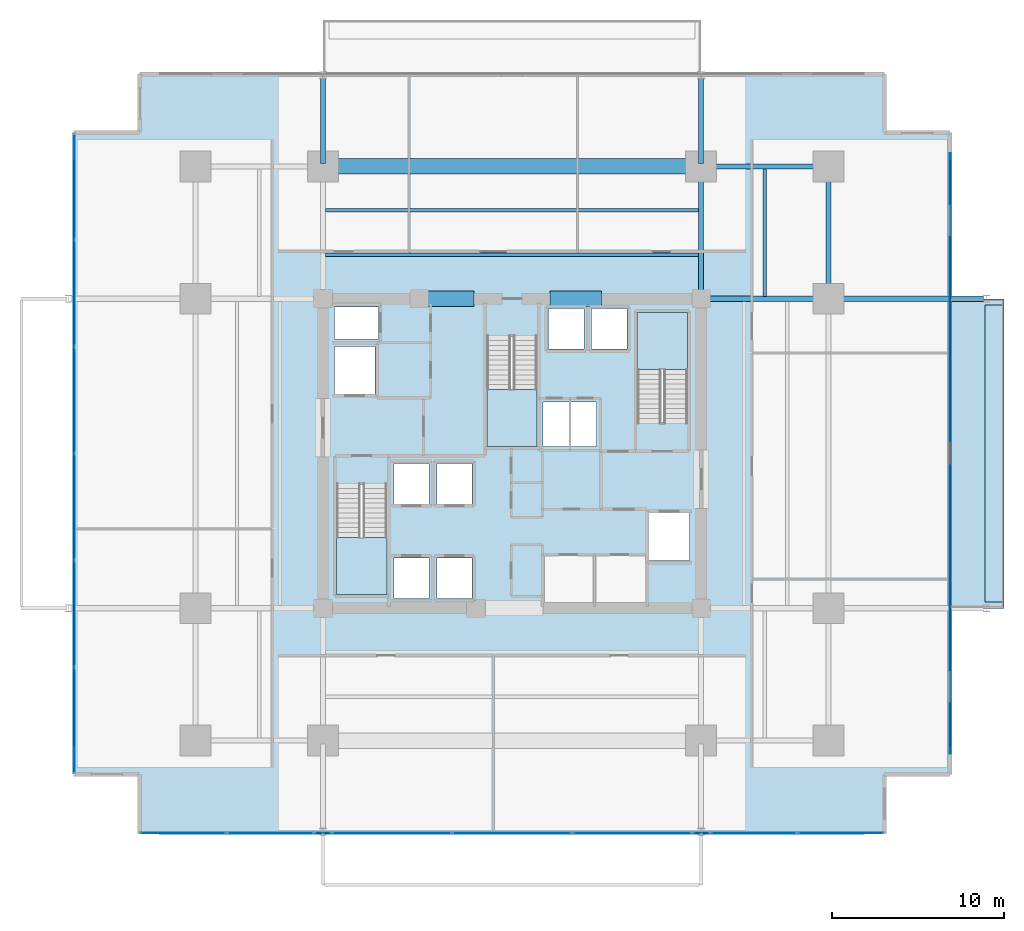
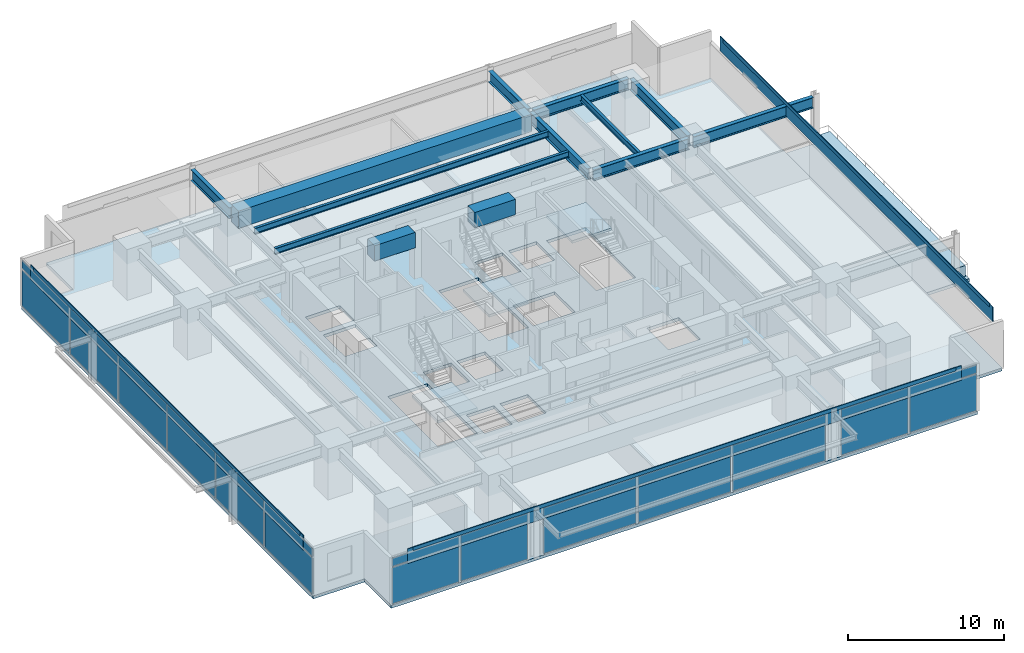
# One storey, part 13 of 21: 32 plates, 13 beams, 6 slabs, 7 elements without a shape of their own.
"""IFC4 building model written with IfcOpenShell, lengths in metres."""

from ifc_helpers import new_model, si_unit, direction, frame, origin, origin_2d, place, context, subcontext, project, spatial, polyline, rectangle, i_section, outline, extrude, material, layer, layer_set, material_profile, profile_set, type_object, element, aggregate, save


model = new_model("IFC4")

# Units and contexts
model_context = context("Model", 3, precision=1e-05, world=origin(), true_north=direction((0.0, 1.0)))
body_context = subcontext(model_context, "Body", "Model", "MODEL_VIEW")
ifc_project = project(units=[si_unit("LENGTHUNIT", "METRE"), si_unit("AREAUNIT", "SQUARE_METRE"), si_unit("VOLUMEUNIT", "CUBIC_METRE"), si_unit("PLANEANGLEUNIT", "RADIAN"), si_unit("MASSUNIT", "GRAM", prefix="KILO")], contexts=[model_context])

# Site, building, storey
site_placement = place(None, origin())
site = spatial("IfcSite", under=ifc_project, at=site_placement, CompositionType="ELEMENT")
building_placement = place(site_placement, origin())
building = spatial("IfcBuilding", under=site, at=building_placement, Name="Kovane Verandah Tower", CompositionType="ELEMENT")
storey_placement = place(building_placement, frame((0.0, 0.0, 47.60009765625)))
storey = spatial("IfcBuildingStorey", under=building, at=storey_placement, Name="L10", CompositionType="ELEMENT", Elevation=47.60009765625)

# Beams
ifc_material_1 = material(Name="Concrete C80/95", Category="concrete")
ifc_material_profile_1 = material_profile(ifc_material_1, rectangle(XDim=0.89990234375, YDim=1.199951171875, at=origin_2d()), Name="RCB900x1200")
ifc_profile_set_1 = profile_set([ifc_material_profile_1], Name="Concrete C80/95")
beam_type_1 = type_object("IfcBeamType", Name="BM-LINTEL-900x1200", PredefinedType="LINTEL", material=ifc_profile_set_1)
for number, where, z_axis, x_axis, name in (
    (1, (34.800048828125, 36.5, 3.159912109375), (1.0, 0.0, 0.0), (0.0, 1.0, 0.0), "L10 Core Coupling Lintel CL-N1"),
    (2, (42.199951171875, 36.5, 3.159912109375), (1.0, 0.0, 0.0), (0.0, 1.0, 0.0), "L10 Core Coupling Lintel CL-N2"),
):
    element("IfcBeam", number, at=place(storey_placement, frame(where, z_axis=z_axis, x_axis=x_axis)), inside=storey, type_object=beam_type_1, Name=name, PredefinedType="LINTEL", context=body_context, shape_type="SweptSolid", body=[
        extrude(rectangle(XDim=0.89990234375, YDim=1.199951171875, at=origin_2d()), origin(), (0.0, 0.0, 1.0), 3.0),
    ])
ifc_material_profile_2 = material_profile(ifc_material_1, rectangle(XDim=0.89990234375, YDim=1.35009765625, at=origin_2d()), Name="RCB900x1350")
ifc_profile_set_2 = profile_set([ifc_material_profile_2], Name="Concrete C80/95")
beam_type_2 = type_object("IfcBeamType", Name="BM-TR-900x1350", PredefinedType="BEAM", material=ifc_profile_set_2)
beam_1_placement = place(storey_placement, frame((29.179931640625, 44.199951171875, 3.0849609375), z_axis=(1.0, 0.0, 0.0), x_axis=(0.0, 1.0, 0.0)))
element("IfcBeam", 3, at=beam_1_placement, inside=storey, type_object=beam_type_2, Name="L10 Primary Tower Girder G-RN2", PredefinedType="BEAM", context=body_context, shape_type="SweptSolid", body=[
    extrude(rectangle(XDim=0.89990234375, YDim=1.35009765625, at=origin_2d()), origin(), (0.0, 0.0, 1.0), 21.64013671875),
])
ifc_material_2 = material(Name="Steel S355", Category="steel")
ifc_material_profile_3 = material_profile(ifc_material_2, i_section(OverallWidth=0.293701171875, OverallDepth=0.850830078125, WebThickness=0.01611328125, FlangeThickness=0.02685546875, FilletRadius=0.017822265625, at=origin_2d()), Name="UB838x292x226")
ifc_profile_set_3 = profile_set([ifc_material_profile_3], Name="Steel S355")
beam_type_3 = type_object("IfcBeamType", Name="BM-UB838x226", PredefinedType="BEAM", material=ifc_profile_set_3)
beam_2_placement = place(storey_placement, frame((51.179931640625, 44.199951171875, 3.33447265625), z_axis=(1.0, 0.0, 0.0), x_axis=(0.0, 1.0, 0.0)))
element("IfcBeam", 4, at=beam_2_placement, inside=storey, type_object=beam_type_3, Name="L10 Primary Tower Girder G-RN3", PredefinedType="BEAM", context=body_context, shape_type="SweptSolid", body=[
    extrude(i_section(OverallWidth=0.293701171875, OverallDepth=0.850830078125, WebThickness=0.01611328125, FlangeThickness=0.02685546875, FilletRadius=0.017822265625, at=origin_2d()), origin(), (0.0, 0.0, 1.0), 7.0400390625),
])
beam_3_placement = place(storey_placement, frame((58.39990234375, 36.679931640625, 3.33447265625), z_axis=(0.0, 1.0, 0.0), x_axis=(-1.0, 0.0, 0.0)))
element("IfcBeam", 5, at=beam_3_placement, inside=storey, type_object=beam_type_3, Name="L10 Primary Tower Girder G-RE3", PredefinedType="BEAM", context=body_context, shape_type="SweptSolid", body=[
    extrude(i_section(OverallWidth=0.293701171875, OverallDepth=0.850830078125, WebThickness=0.01611328125, FlangeThickness=0.02685546875, FilletRadius=0.017822265625, at=origin_2d()), origin(), (0.0, 0.0, 1.0), 7.340087890625),
])
beam_4_placement = place(storey_placement, frame((51.179931640625, 36.5, 3.33447265625), z_axis=(1.0, 0.0, 0.0), x_axis=(0.0, 1.0, 0.0)))
element("IfcBeam", 6, at=beam_4_placement, inside=storey, type_object=beam_type_3, Name="L10 Primary Tower Girder G-E2", PredefinedType="BEAM", context=body_context, shape_type="SweptSolid", body=[
    extrude(i_section(OverallWidth=0.293701171875, OverallDepth=0.850830078125, WebThickness=0.01611328125, FlangeThickness=0.02685546875, FilletRadius=0.017822265625, at=origin_2d()), origin(), (0.0, 0.0, 1.0), 7.0400390625),
])
beam_5_placement = place(storey_placement, frame((51.0, 36.679931640625, 3.33447265625), z_axis=(0.0, 1.0, 0.0), x_axis=(-1.0, 0.0, 0.0)))
element("IfcBeam", 7, at=beam_5_placement, inside=storey, type_object=beam_type_3, Name="L10 Primary Tower Girder G-N2", PredefinedType="BEAM", context=body_context, shape_type="SweptSolid", body=[
    extrude(i_section(OverallWidth=0.293701171875, OverallDepth=0.850830078125, WebThickness=0.01611328125, FlangeThickness=0.02685546875, FilletRadius=0.017822265625, at=origin_2d()), origin(), (0.0, 0.0, 1.0), 7.340087890625),
])
beam_6_placement = place(storey_placement, frame((58.580078125, 36.5, 3.33447265625), z_axis=(1.0, 0.0, 0.0), x_axis=(0.0, 1.0, 0.0)))
element("IfcBeam", 8, at=beam_6_placement, inside=storey, type_object=beam_type_3, Name="L10 Primary Tower Girder G-VE2", PredefinedType="BEAM", context=body_context, shape_type="SweptSolid", body=[
    extrude(i_section(OverallWidth=0.293701171875, OverallDepth=0.850830078125, WebThickness=0.01611328125, FlangeThickness=0.02685546875, FilletRadius=0.017822265625, at=origin_2d()), origin(), (0.0, 0.0, 1.0), 8.83984375),
])
for number, where, z_axis, x_axis, name in (
    (9, (29.0, 44.3798828125, 3.33447265625), (0.0, 1.0, 0.0), (-1.0, 0.0, 0.0), "L10 Primary Tower Girder G-VN1"),
    (10, (51.0, 44.3798828125, 3.33447265625), (0.0, 1.0, 0.0), (-1.0, 0.0, 0.0), "L10 Primary Tower Girder G-VN2"),
):
    element("IfcBeam", number, at=place(storey_placement, frame(where, z_axis=z_axis, x_axis=x_axis)), inside=storey, type_object=beam_type_3, Name=name, PredefinedType="BEAM", context=body_context, shape_type="SweptSolid", body=[
        extrude(i_section(OverallWidth=0.293701171875, OverallDepth=0.850830078125, WebThickness=0.01611328125, FlangeThickness=0.02685546875, FilletRadius=0.017822265625, at=origin_2d()), origin(), (0.0, 0.0, 1.0), 4.940185546875),
    ])
ifc_material_profile_4 = material_profile(ifc_material_2, i_section(OverallWidth=0.19287109375, OverallDepth=0.46728515625, WebThickness=0.011474609375, FlangeThickness=0.01953125, FilletRadius=0.01025390625, at=origin_2d()), Name="UB457x191x98")
ifc_profile_set_4 = profile_set([ifc_material_profile_4], Name="Steel S355")
beam_type_4 = type_object("IfcBeamType", Name="JST-UB457x98", PredefinedType="JOIST", material=ifc_profile_set_4)
for number, where, z_axis, x_axis, name in (
    (11, (29.14501953125, 39.050048828125, 3.5263671875), (1.0, 0.0, 0.0), (0.0, 1.0, 0.0), "L10 Secondary Composite Joist J-N1"),
    (12, (29.14501953125, 41.64990234375, 3.5263671875), (1.0, 0.0, 0.0), (0.0, 1.0, 0.0), "L10 Secondary Composite Joist J-N2"),
):
    element("IfcBeam", number, at=place(storey_placement, frame(where, z_axis=z_axis, x_axis=x_axis)), inside=storey, type_object=beam_type_4, Name=name, PredefinedType="JOIST", context=body_context, shape_type="SweptSolid", body=[
        extrude(i_section(OverallWidth=0.19287109375, OverallDepth=0.46728515625, WebThickness=0.011474609375, FlangeThickness=0.01953125, FilletRadius=0.01025390625, at=origin_2d()), origin(), (0.0, 0.0, 1.0), 21.7099609375),
    ])
beam_7_placement = place(storey_placement, frame((54.699951171875, 36.64501953125, 3.5263671875), z_axis=(0.0, 1.0, 0.0), x_axis=(-1.0, 0.0, 0.0)))
element("IfcBeam", 13, at=beam_7_placement, inside=storey, type_object=beam_type_4, Name="L10 Secondary Composite Joist J-NE1", PredefinedType="JOIST", context=body_context, shape_type="SweptSolid", body=[
    extrude(i_section(OverallWidth=0.19287109375, OverallDepth=0.46728515625, WebThickness=0.011474609375, FlangeThickness=0.01953125, FilletRadius=0.01025390625, at=origin_2d()), origin(), (0.0, 0.0, 1.0), 7.41015625),
])

# Curtain wall, plates
ifc_material_3 = material(Name="Champagne Anodised Aluminium Frame with Low-E Clear Laminated Glass", Category="aluminium")
curtain_wall_type = type_object("IfcCurtainWallType", Name="CW-SYS-02-LOW", PredefinedType="NOTDEFINED", material=ifc_material_3)
curtain_wall_1_placement = place(storey_placement, origin())
curtain_wall_1 = element("IfcCurtainWall", 14, at=curtain_wall_1_placement, inside=storey, type_object=curtain_wall_type, Name="L10 S Unitised Curtain Wall-1", PredefinedType="NOTDEFINED")
ifc_material_4 = material(Name="Pale Champagne Anodised Aluminium Insulated Spandrel", Category="aluminium")
ifc_layer_1 = layer(ifc_material_4, 0.0400390625)
ifc_layer_set_1 = layer_set([ifc_layer_1], Name="Pale Champagne Anodised Aluminium Insulated Spandrel")
plate_type_1 = type_object("IfcPlateType", Name="PL-CW-SPD-40", PredefinedType="SHEET", material=ifc_layer_set_1)
plate_1_placement = place(storey_placement, frame((20.875732421875, 5.438720703125, 3.02978515625), z_axis=(0.0, 0.0, 1.0), x_axis=(1.0, 0.0, 0.0)))
plate_1 = element("IfcPlate", 15, at=plate_1_placement, type_object=plate_type_1, Name="L10 S Unitised Curtain Wall-1 Spandrel Panel 1", PredefinedType="SHEET", context=body_context, shape_type="SweptSolid", body=[
    extrude(rectangle(XDim=4.929443359375, YDim=0.0400390625, at=origin_2d()), origin(), (0.0, 0.0, 1.0), 0.639892578125),
])
plate_2_placement = place(storey_placement, frame((25.9453125, 5.438720703125, 3.02978515625), z_axis=(0.0, 0.0, 1.0), x_axis=(1.0, 0.0, 0.0)))
plate_2 = element("IfcPlate", 16, at=plate_2_placement, type_object=plate_type_1, Name="L10 S Unitised Curtain Wall-1 Spandrel Panel 2", PredefinedType="SHEET", context=body_context, shape_type="SweptSolid", body=[
    extrude(rectangle(XDim=4.929443359375, YDim=0.0400390625, at=origin_2d()), origin(), (0.0, 0.0, 1.0), 0.639892578125),
])

curtain_wall_2_placement = place(storey_placement, origin())
curtain_wall_2 = element("IfcCurtainWall", 17, at=curtain_wall_2_placement, inside=storey, type_object=curtain_wall_type, Name="L10 S Unitised Curtain Wall-2", PredefinedType="NOTDEFINED")
plate_3_placement = place(storey_placement, frame((33.01318359375, 5.438720703125, 3.02978515625), z_axis=(0.0, 0.0, 1.0), x_axis=(1.0, 0.0, 0.0)))
plate_3 = element("IfcPlate", 18, at=plate_3_placement, type_object=plate_type_1, Name="L10 S Unitised Curtain Wall-2 Spandrel Panel 1", PredefinedType="SHEET", context=body_context, shape_type="SweptSolid", body=[
    extrude(rectangle(XDim=6.8466796875, YDim=0.0400390625, at=origin_2d()), origin(), (0.0, 0.0, 1.0), 0.639892578125),
])
plate_4_placement = place(storey_placement, frame((40.0, 5.438720703125, 3.02978515625), z_axis=(0.0, 0.0, 1.0), x_axis=(1.0, 0.0, 0.0)))
plate_4 = element("IfcPlate", 19, at=plate_4_placement, type_object=plate_type_1, Name="L10 S Unitised Curtain Wall-2 Spandrel Panel 2", PredefinedType="SHEET", context=body_context, shape_type="SweptSolid", body=[
    extrude(rectangle(XDim=6.8466796875, YDim=0.0400390625, at=origin_2d()), origin(), (0.0, 0.0, 1.0), 0.639892578125),
])
plate_5_placement = place(storey_placement, frame((46.98681640625, 5.438720703125, 3.02978515625), z_axis=(0.0, 0.0, 1.0), x_axis=(1.0, 0.0, 0.0)))
plate_5 = element("IfcPlate", 20, at=plate_5_placement, type_object=plate_type_1, Name="L10 S Unitised Curtain Wall-2 Spandrel Panel 3", PredefinedType="SHEET", context=body_context, shape_type="SweptSolid", body=[
    extrude(rectangle(XDim=6.8466796875, YDim=0.0400390625, at=origin_2d()), origin(), (0.0, 0.0, 1.0), 0.639892578125),
])

curtain_wall_3_placement = place(storey_placement, origin())
curtain_wall_3 = element("IfcCurtainWall", 21, at=curtain_wall_3_placement, inside=storey, type_object=curtain_wall_type, Name="L10 S Unitised Curtain Wall-3", PredefinedType="NOTDEFINED")
plate_6_placement = place(storey_placement, frame((54.0546875, 5.438720703125, 3.02978515625), z_axis=(0.0, 0.0, 1.0), x_axis=(1.0, 0.0, 0.0)))
plate_6 = element("IfcPlate", 22, at=plate_6_placement, type_object=plate_type_1, Name="L10 S Unitised Curtain Wall-3 Spandrel Panel 1", PredefinedType="SHEET", context=body_context, shape_type="SweptSolid", body=[
    extrude(rectangle(XDim=4.929443359375, YDim=0.0400390625, at=origin_2d()), origin(), (0.0, 0.0, 1.0), 0.639892578125),
])
plate_7_placement = place(storey_placement, frame((59.124267578125, 5.438720703125, 3.02978515625), z_axis=(0.0, 0.0, 1.0), x_axis=(1.0, 0.0, 0.0)))
plate_7 = element("IfcPlate", 23, at=plate_7_placement, type_object=plate_type_1, Name="L10 S Unitised Curtain Wall-3 Spandrel Panel 2", PredefinedType="SHEET", context=body_context, shape_type="SweptSolid", body=[
    extrude(rectangle(XDim=4.929443359375, YDim=0.0400390625, at=origin_2d()), origin(), (0.0, 0.0, 1.0), 0.639892578125),
])

curtain_wall_4_placement = place(storey_placement, origin())
curtain_wall_4 = element("IfcCurtainWall", 24, at=curtain_wall_4_placement, inside=storey, type_object=curtain_wall_type, Name="L10 W Unitised Curtain Wall", PredefinedType="NOTDEFINED")
plate_8_placement = place(storey_placement, frame((14.541015625, 43.051025390625, 3.02978515625), z_axis=(0.0, 0.0, 1.0), x_axis=(0.0, -1.0, 0.0)))
plate_8 = element("IfcPlate", 25, at=plate_8_placement, type_object=plate_type_1, Name="L10 W Unitised Curtain Wall Spandrel Panel 1", PredefinedType="SHEET", context=body_context, shape_type="SweptSolid", body=[
    extrude(rectangle(XDim=6.080322265625, YDim=0.0400390625, at=origin_2d()), origin(), (0.0, 0.0, 1.0), 0.639892578125),
])
plate_9_placement = place(storey_placement, frame((14.541015625, 36.830810546875, 3.02978515625), z_axis=(0.0, 0.0, 1.0), x_axis=(0.0, -1.0, 0.0)))
plate_9 = element("IfcPlate", 26, at=plate_9_placement, type_object=plate_type_1, Name="L10 W Unitised Curtain Wall Spandrel Panel 2", PredefinedType="SHEET", context=body_context, shape_type="SweptSolid", body=[
    extrude(rectangle(XDim=6.080322265625, YDim=0.0400390625, at=origin_2d()), origin(), (0.0, 0.0, 1.0), 0.639892578125),
])
plate_10_placement = place(storey_placement, frame((14.541015625, 30.610107421875, 3.02978515625), z_axis=(0.0, 0.0, 1.0), x_axis=(0.0, -1.0, 0.0)))
plate_10 = element("IfcPlate", 27, at=plate_10_placement, type_object=plate_type_1, Name="L10 W Unitised Curtain Wall Spandrel Panel 3", PredefinedType="SHEET", context=body_context, shape_type="SweptSolid", body=[
    extrude(rectangle(XDim=6.080322265625, YDim=0.0400390625, at=origin_2d()), origin(), (0.0, 0.0, 1.0), 0.639892578125),
])
plate_11_placement = place(storey_placement, frame((14.541015625, 24.389892578125, 3.02978515625), z_axis=(0.0, 0.0, 1.0), x_axis=(0.0, -1.0, 0.0)))
plate_11 = element("IfcPlate", 28, at=plate_11_placement, type_object=plate_type_1, Name="L10 W Unitised Curtain Wall Spandrel Panel 4", PredefinedType="SHEET", context=body_context, shape_type="SweptSolid", body=[
    extrude(rectangle(XDim=6.080322265625, YDim=0.0400390625, at=origin_2d()), origin(), (0.0, 0.0, 1.0), 0.639892578125),
])
plate_12_placement = place(storey_placement, frame((14.541015625, 18.169189453125, 3.02978515625), z_axis=(0.0, 0.0, 1.0), x_axis=(0.0, -1.0, 0.0)))
plate_12 = element("IfcPlate", 29, at=plate_12_placement, type_object=plate_type_1, Name="L10 W Unitised Curtain Wall Spandrel Panel 5", PredefinedType="SHEET", context=body_context, shape_type="SweptSolid", body=[
    extrude(rectangle(XDim=6.080322265625, YDim=0.0400390625, at=origin_2d()), origin(), (0.0, 0.0, 1.0), 0.639892578125),
])
plate_13_placement = place(storey_placement, frame((14.541015625, 11.948974609375, 3.02978515625), z_axis=(0.0, 0.0, 1.0), x_axis=(0.0, -1.0, 0.0)))
plate_13 = element("IfcPlate", 30, at=plate_13_placement, type_object=plate_type_1, Name="L10 W Unitised Curtain Wall Spandrel Panel 6", PredefinedType="SHEET", context=body_context, shape_type="SweptSolid", body=[
    extrude(rectangle(XDim=6.080322265625, YDim=0.0400390625, at=origin_2d()), origin(), (0.0, 0.0, 1.0), 0.639892578125),
])

# Plate
ifc_material_5 = material(Name="Clear Low-E Laminated Double Glazing", Category="glass")
ifc_layer_2 = layer(ifc_material_5, 0.031982421875)
ifc_layer_set_2 = layer_set([ifc_layer_2], Name="Clear Low-E Laminated Double Glazing")
plate_type_2 = type_object("IfcPlateType", Name="PL-CW-VIS-32", PredefinedType="CURTAIN_PANEL", material=ifc_layer_set_2)
plate_14_placement = place(storey_placement, frame((20.875732421875, 5.438720703125, 0.099853515625), z_axis=(0.0, 0.0, 1.0), x_axis=(1.0, 0.0, 0.0)))
plate_14 = element("IfcPlate", 31, at=plate_14_placement, type_object=plate_type_2, Name="L10 S Unitised Curtain Wall-1 Vision Panel 1", PredefinedType="CURTAIN_PANEL", context=body_context, shape_type="SweptSolid", body=[
    extrude(rectangle(XDim=4.929443359375, YDim=0.031982421875, at=origin_2d()), origin(), (0.0, 0.0, 1.0), 2.830078125),
])

plate_15_placement = place(storey_placement, frame((25.9453125, 5.438720703125, 0.099853515625), z_axis=(0.0, 0.0, 1.0), x_axis=(1.0, 0.0, 0.0)))
plate_15 = element("IfcPlate", 32, at=plate_15_placement, type_object=plate_type_2, Name="L10 S Unitised Curtain Wall-1 Vision Panel 2", PredefinedType="CURTAIN_PANEL", context=body_context, shape_type="SweptSolid", body=[
    extrude(rectangle(XDim=4.929443359375, YDim=0.031982421875, at=origin_2d()), origin(), (0.0, 0.0, 1.0), 2.830078125),
])

aggregate(curtain_wall_1, [plate_14, plate_1, plate_15, plate_2])

plate_16_placement = place(storey_placement, frame((33.01318359375, 5.438720703125, 0.099853515625), z_axis=(0.0, 0.0, 1.0), x_axis=(1.0, 0.0, 0.0)))
plate_16 = element("IfcPlate", 33, at=plate_16_placement, type_object=plate_type_2, Name="L10 S Unitised Curtain Wall-2 Vision Panel 1", PredefinedType="CURTAIN_PANEL", context=body_context, shape_type="SweptSolid", body=[
    extrude(rectangle(XDim=6.8466796875, YDim=0.031982421875, at=origin_2d()), origin(), (0.0, 0.0, 1.0), 2.830078125),
])

plate_17_placement = place(storey_placement, frame((40.0, 5.438720703125, 0.099853515625), z_axis=(0.0, 0.0, 1.0), x_axis=(1.0, 0.0, 0.0)))
plate_17 = element("IfcPlate", 34, at=plate_17_placement, type_object=plate_type_2, Name="L10 S Unitised Curtain Wall-2 Vision Panel 2", PredefinedType="CURTAIN_PANEL", context=body_context, shape_type="SweptSolid", body=[
    extrude(rectangle(XDim=6.8466796875, YDim=0.031982421875, at=origin_2d()), origin(), (0.0, 0.0, 1.0), 2.830078125),
])

plate_18_placement = place(storey_placement, frame((46.98681640625, 5.438720703125, 0.099853515625), z_axis=(0.0, 0.0, 1.0), x_axis=(1.0, 0.0, 0.0)))
plate_18 = element("IfcPlate", 35, at=plate_18_placement, type_object=plate_type_2, Name="L10 S Unitised Curtain Wall-2 Vision Panel 3", PredefinedType="CURTAIN_PANEL", context=body_context, shape_type="SweptSolid", body=[
    extrude(rectangle(XDim=6.8466796875, YDim=0.031982421875, at=origin_2d()), origin(), (0.0, 0.0, 1.0), 2.830078125),
])

aggregate(curtain_wall_2, [plate_16, plate_3, plate_17, plate_4, plate_18, plate_5])

plate_19_placement = place(storey_placement, frame((54.0546875, 5.438720703125, 0.099853515625), z_axis=(0.0, 0.0, 1.0), x_axis=(1.0, 0.0, 0.0)))
plate_19 = element("IfcPlate", 36, at=plate_19_placement, type_object=plate_type_2, Name="L10 S Unitised Curtain Wall-3 Vision Panel 1", PredefinedType="CURTAIN_PANEL", context=body_context, shape_type="SweptSolid", body=[
    extrude(rectangle(XDim=4.929443359375, YDim=0.031982421875, at=origin_2d()), origin(), (0.0, 0.0, 1.0), 2.830078125),
])

plate_20_placement = place(storey_placement, frame((59.124267578125, 5.438720703125, 0.099853515625), z_axis=(0.0, 0.0, 1.0), x_axis=(1.0, 0.0, 0.0)))
plate_20 = element("IfcPlate", 37, at=plate_20_placement, type_object=plate_type_2, Name="L10 S Unitised Curtain Wall-3 Vision Panel 2", PredefinedType="CURTAIN_PANEL", context=body_context, shape_type="SweptSolid", body=[
    extrude(rectangle(XDim=4.929443359375, YDim=0.031982421875, at=origin_2d()), origin(), (0.0, 0.0, 1.0), 2.830078125),
])

aggregate(curtain_wall_3, [plate_19, plate_6, plate_20, plate_7])

plate_21_placement = place(storey_placement, frame((14.541015625, 43.051025390625, 0.099853515625), z_axis=(0.0, 0.0, 1.0), x_axis=(0.0, -1.0, 0.0)))
plate_21 = element("IfcPlate", 38, at=plate_21_placement, type_object=plate_type_2, Name="L10 W Unitised Curtain Wall Vision Panel 1", PredefinedType="CURTAIN_PANEL", context=body_context, shape_type="SweptSolid", body=[
    extrude(rectangle(XDim=6.080322265625, YDim=0.031982421875, at=origin_2d()), origin(), (0.0, 0.0, 1.0), 2.830078125),
])

plate_22_placement = place(storey_placement, frame((14.541015625, 36.830810546875, 0.099853515625), z_axis=(0.0, 0.0, 1.0), x_axis=(0.0, -1.0, 0.0)))
plate_22 = element("IfcPlate", 39, at=plate_22_placement, type_object=plate_type_2, Name="L10 W Unitised Curtain Wall Vision Panel 2", PredefinedType="CURTAIN_PANEL", context=body_context, shape_type="SweptSolid", body=[
    extrude(rectangle(XDim=6.080322265625, YDim=0.031982421875, at=origin_2d()), origin(), (0.0, 0.0, 1.0), 2.830078125),
])

plate_23_placement = place(storey_placement, frame((14.541015625, 30.610107421875, 0.099853515625), z_axis=(0.0, 0.0, 1.0), x_axis=(0.0, -1.0, 0.0)))
plate_23 = element("IfcPlate", 40, at=plate_23_placement, type_object=plate_type_2, Name="L10 W Unitised Curtain Wall Vision Panel 3", PredefinedType="CURTAIN_PANEL", context=body_context, shape_type="SweptSolid", body=[
    extrude(rectangle(XDim=6.080322265625, YDim=0.031982421875, at=origin_2d()), origin(), (0.0, 0.0, 1.0), 2.830078125),
])

plate_24_placement = place(storey_placement, frame((14.541015625, 24.389892578125, 0.099853515625), z_axis=(0.0, 0.0, 1.0), x_axis=(0.0, -1.0, 0.0)))
plate_24 = element("IfcPlate", 41, at=plate_24_placement, type_object=plate_type_2, Name="L10 W Unitised Curtain Wall Vision Panel 4", PredefinedType="CURTAIN_PANEL", context=body_context, shape_type="SweptSolid", body=[
    extrude(rectangle(XDim=6.080322265625, YDim=0.031982421875, at=origin_2d()), origin(), (0.0, 0.0, 1.0), 2.830078125),
])

plate_25_placement = place(storey_placement, frame((14.541015625, 18.169189453125, 0.099853515625), z_axis=(0.0, 0.0, 1.0), x_axis=(0.0, -1.0, 0.0)))
plate_25 = element("IfcPlate", 42, at=plate_25_placement, type_object=plate_type_2, Name="L10 W Unitised Curtain Wall Vision Panel 5", PredefinedType="CURTAIN_PANEL", context=body_context, shape_type="SweptSolid", body=[
    extrude(rectangle(XDim=6.080322265625, YDim=0.031982421875, at=origin_2d()), origin(), (0.0, 0.0, 1.0), 2.830078125),
])

plate_26_placement = place(storey_placement, frame((14.541015625, 11.948974609375, 0.099853515625), z_axis=(0.0, 0.0, 1.0), x_axis=(0.0, -1.0, 0.0)))
plate_26 = element("IfcPlate", 43, at=plate_26_placement, type_object=plate_type_2, Name="L10 W Unitised Curtain Wall Vision Panel 6", PredefinedType="CURTAIN_PANEL", context=body_context, shape_type="SweptSolid", body=[
    extrude(rectangle(XDim=6.080322265625, YDim=0.031982421875, at=origin_2d()), origin(), (0.0, 0.0, 1.0), 2.830078125),
])

aggregate(curtain_wall_4, [plate_21, plate_8, plate_22, plate_9, plate_23, plate_10, plate_24, plate_11, plate_25, plate_12, plate_26, plate_13])

# Plates
ifc_material_6 = material(Name="Perforated Pale Champagne Anodised Aluminium Solar Screen", Category="aluminium")
ifc_layer_3 = layer(ifc_material_6, 0.050048828125)
ifc_layer_set_3 = layer_set([ifc_layer_3], Name="Perforated Pale Champagne Anodised Aluminium Solar Screen")
plate_type_3 = type_object("IfcPlateType", Name="PL-SCREEN-50", PredefinedType="USERDEFINED", material=ifc_layer_set_3)
plate_27_placement = place(storey_placement, frame((40.0, 5.423583984375, 2.85986328125), z_axis=(0.0, 0.0, 1.0), x_axis=(1.0, 0.0, 0.0)))
element("IfcPlate", 44, at=plate_27_placement, inside=storey, type_object=plate_type_3, Name="L10 S Perforated Champagne-Gold Solar Screen", ObjectType="SCREEN", PredefinedType="USERDEFINED", context=body_context, shape_type="SweptSolid", body=[
    extrude(rectangle(XDim=40.91796875, YDim=0.050048828125, at=origin_2d()), origin(), (0.0, 0.0, 1.0), 1.14990234375),
])
for number, where, z_axis, x_axis, name in (
    (45, (65.47412109375, 27.5, 2.85986328125), (0.0, 0.0, 1.0), (0.0, 1.0, 0.0), "L10 E Perforated Champagne-Gold Solar Screen"),
    (46, (14.52587890625, 27.5, 2.85986328125), (0.0, 0.0, 1.0), (0.0, -1.0, 0.0), "L10 W Perforated Champagne-Gold Solar Screen"),
):
    element("IfcPlate", number, at=place(storey_placement, frame(where, z_axis=z_axis, x_axis=x_axis)), inside=storey, type_object=plate_type_3, Name=name, ObjectType="SCREEN", PredefinedType="USERDEFINED", context=body_context, shape_type="SweptSolid", body=[
        extrude(rectangle(XDim=34.923095703125, YDim=0.050048828125, at=origin_2d()), origin(), (0.0, 0.0, 1.0), 1.14990234375),
    ])
ifc_material_7 = material(Name="Extruded Pale-Bronze Aluminium Aerofoil Sunshade", Category="aluminium")
ifc_layer_4 = layer(ifc_material_7, 0.06005859375)
ifc_layer_set_4 = layer_set([ifc_layer_4], Name="Extruded Pale-Bronze Aluminium Aerofoil Sunshade")
plate_type_4 = type_object("IfcPlateType", Name="PL-SUNSHADE-60", PredefinedType="USERDEFINED", material=ifc_layer_set_4)
plate_28_placement = place(storey_placement, frame((40.0, 5.418701171875, 3.73974609375), z_axis=(0.0, 0.0, 1.0), x_axis=(1.0, 0.0, 0.0)))
element("IfcPlate", 47, at=plate_28_placement, inside=storey, type_object=plate_type_4, Name="L10 S Subtropical Aerofoil Sunshade", ObjectType="SUNSHADE", PredefinedType="USERDEFINED", context=body_context, shape_type="SweptSolid", body=[
    extrude(rectangle(XDim=40.117919921875, YDim=0.06005859375, at=origin_2d()), origin(), (0.0, 0.0, 1.0), 0.280029296875),
])
for number, where, z_axis, x_axis, name in (
    (48, (65.47900390625, 27.5, 3.73974609375), (0.0, 0.0, 1.0), (0.0, 1.0, 0.0), "L10 E Subtropical Aerofoil Sunshade"),
    (49, (14.52099609375, 27.5, 3.73974609375), (0.0, 0.0, 1.0), (0.0, -1.0, 0.0), "L10 W Subtropical Aerofoil Sunshade"),
):
    element("IfcPlate", number, at=place(storey_placement, frame(where, z_axis=z_axis, x_axis=x_axis)), inside=storey, type_object=plate_type_4, Name=name, ObjectType="SUNSHADE", PredefinedType="USERDEFINED", context=body_context, shape_type="SweptSolid", body=[
        extrude(rectangle(XDim=34.123046875, YDim=0.06005859375, at=origin_2d()), origin(), (0.0, 0.0, 1.0), 0.280029296875),
    ])

# Slab
ifc_material_8 = material(Name="Concrete C45/55", Category="concrete")
ifc_layer_5 = layer(ifc_material_8, 0.239990234375)
ifc_layer_set_5 = layer_set([ifc_layer_5], Name="Concrete C45/55")
slab_type_1 = type_object("IfcSlabType", Name="SL-BALC-240", PredefinedType="FLOOR", material=ifc_layer_set_5)
slab_1_placement = place(storey_placement, frame((0.0, 0.0, -0.239990234375)))
element("IfcSlab", 50, at=slab_1_placement, inside=storey, type_object=slab_type_1, Name="L10 E Planted Verandah Balcony Slab", PredefinedType="FLOOR", context=body_context, shape_type="SweptSolid", body=[
    extrude(outline(polyline([(65.458984375, 18.5), (68.60888671875, 18.5), (68.60888671875, 36.5), (65.458984375, 36.5), (65.458984375, 18.5)])), origin(), (0.0, 0.0, 1.0), 0.239990234375),
])

# Stair, slab
stair_type = type_object("IfcStairType", Name="ST-CORE-1380", PredefinedType="HALF_TURN_STAIR", material=ifc_material_8)
stair_1_placement = place(storey_placement, origin())
stair_1 = element("IfcStair", 51, at=stair_1_placement, inside=storey, type_object=stair_type, Name="L10 Exit Stair ST-01", PredefinedType="HALF_TURN_STAIR")
ifc_layer_6 = layer(ifc_material_8, 0.199951171875)
ifc_layer_set_6 = layer_set([ifc_layer_6], Name="Concrete C45/55")
slab_type_2 = type_object("IfcSlabType", Name="SL-LAND-200", PredefinedType="LANDING", material=ifc_layer_set_6)
slab_2_placement = place(storey_placement, frame((0.0, 0.0, 1.7998046875)))
slab_2 = element("IfcSlab", 52, at=slab_2_placement, type_object=slab_type_2, Name="ST-01 landing 1", PredefinedType="LANDING", context=body_context, shape_type="SweptSolid", body=[
    extrude(outline(polyline([(29.800048828125, 22.614990234375), (29.800048828125, 19.300048828125), (32.719970703125, 19.300048828125), (32.719970703125, 22.614990234375), (29.800048828125, 22.614990234375)])), origin(), (0.0, 0.0, 1.0), 0.2001953125),
])
aggregate(stair_1, [slab_2])

stair_2_placement = place(storey_placement, origin())
stair_2 = element("IfcStair", 53, at=stair_2_placement, inside=storey, type_object=stair_type, Name="L10 Exit Stair ST-02", PredefinedType="HALF_TURN_STAIR")
slab_3_placement = place(storey_placement, frame((0.0, 0.0, 1.7998046875)))
slab_3 = element("IfcSlab", 54, at=slab_3_placement, type_object=slab_type_2, Name="ST-02 landing 1", PredefinedType="LANDING", context=body_context, shape_type="SweptSolid", body=[
    extrude(outline(polyline([(50.199951171875, 32.385009765625), (50.199951171875, 35.699951171875), (47.280029296875, 35.699951171875), (47.280029296875, 32.385009765625), (50.199951171875, 32.385009765625)])), origin(), (0.0, 0.0, 1.0), 0.2001953125),
])
aggregate(stair_2, [slab_3])

stair_3_placement = place(storey_placement, origin())
stair_3 = element("IfcStair", 55, at=stair_3_placement, inside=storey, type_object=stair_type, Name="L10 Exit Stair ST-03", PredefinedType="HALF_TURN_STAIR")
slab_4_placement = place(storey_placement, frame((0.0, 0.0, 1.7998046875)))
slab_4 = element("IfcSlab", 56, at=slab_4_placement, type_object=slab_type_2, Name="ST-03 landing 1", PredefinedType="LANDING", context=body_context, shape_type="SweptSolid", body=[
    extrude(outline(polyline([(38.5400390625, 31.215087890625), (38.5400390625, 27.89990234375), (41.4599609375, 27.89990234375), (41.4599609375, 31.215087890625), (38.5400390625, 31.215087890625)])), origin(), (0.0, 0.0, 1.0), 0.2001953125),
])
aggregate(stair_3, [slab_4])

# Slabs
ifc_material_9 = material(Name="Architectural Precast Concrete C45/55 Planter Trough", Category="concrete")
ifc_layer_7 = layer(ifc_material_9, 0.219970703125)
ifc_layer_set_7 = layer_set([ifc_layer_7], Name="Architectural Precast Concrete C45/55 Planter Trough")
slab_type_3 = type_object("IfcSlabType", Name="SL-PLANTER-220", PredefinedType="USERDEFINED", material=ifc_layer_set_7)
slab_5_placement = place(storey_placement, origin())
element("IfcSlab", 57, at=slab_5_placement, inside=storey, type_object=slab_type_3, Name="L10 E Structural Tree Planter", ObjectType="PLANTER", PredefinedType="USERDEFINED", context=body_context, shape_type="SweptSolid", body=[
    extrude(outline(polyline([(67.509033203125, 18.85009765625), (68.509033203125, 18.85009765625), (68.509033203125, 36.14990234375), (67.509033203125, 36.14990234375), (67.509033203125, 18.85009765625)])), origin(), (0.0, 0.0, 1.0), 0.849853515625),
])
ifc_layer_8 = layer(ifc_material_8, 0.239990234375)
ifc_layer_set_8 = layer_set([ifc_layer_8], Name="Concrete C45/55")
slab_type_4 = type_object("IfcSlabType", Name="SL-TYP-240", PredefinedType="FLOOR", material=ifc_layer_set_8)
slab_6_placement = place(storey_placement, frame((0.0, 0.0, -0.239990234375)))
element("IfcSlab", 58, at=slab_6_placement, inside=storey, type_object=slab_type_4, Name="L10 Structural Floor Slab", PredefinedType="FLOOR", context=body_context, shape_type="SweptSolid", body=[
    extrude(outline(polyline([(18.341064453125, 5.438720703125), (61.658935546875, 5.438720703125), (61.658935546875, 8.838623046875), (65.458984375, 8.838623046875), (65.458984375, 46.161376953125), (61.658935546875, 46.161376953125), (61.658935546875, 49.561279296875), (18.341064453125, 49.561279296875), (18.341064453125, 46.161376953125), (14.541015625, 46.161376953125), (14.541015625, 8.838623046875), (18.341064453125, 8.838623046875), (18.341064453125, 5.438720703125)]), holes=[polyline([(29.800048828125, 19.300048828125), (32.719970703125, 19.300048828125), (32.719970703125, 25.705078125), (29.800048828125, 25.705078125), (29.800048828125, 19.300048828125)]), polyline([(47.280029296875, 29.294921875), (50.199951171875, 29.294921875), (50.199951171875, 35.699951171875), (47.280029296875, 35.699951171875), (47.280029296875, 29.294921875)]), polyline([(38.5400390625, 27.89990234375), (41.4599609375, 27.89990234375), (41.4599609375, 34.304931640625), (38.5400390625, 34.304931640625), (38.5400390625, 27.89990234375)]), polyline([(29.669921875, 30.969970703125), (32.030029296875, 30.969970703125), (32.030029296875, 33.72998046875), (29.669921875, 33.72998046875), (29.669921875, 30.969970703125)]), polyline([(47.969970703125, 21.27001953125), (50.330078125, 21.27001953125), (50.330078125, 24.030029296875), (47.969970703125, 24.030029296875), (47.969970703125, 21.27001953125)]), polyline([(29.669921875, 34.169921875), (32.22998046875, 34.169921875), (32.22998046875, 36.030029296875), (29.669921875, 36.030029296875), (29.669921875, 34.169921875)]), polyline([(33.1201171875, 19.070068359375), (35.179931640625, 19.070068359375), (35.179931640625, 21.429931640625), (33.1201171875, 21.429931640625), (33.1201171875, 19.070068359375)]), polyline([(35.6201171875, 19.070068359375), (37.679931640625, 19.070068359375), (37.679931640625, 21.429931640625), (35.6201171875, 21.429931640625), (35.6201171875, 19.070068359375)]), polyline([(33.1201171875, 24.570068359375), (35.179931640625, 24.570068359375), (35.179931640625, 26.929931640625), (33.1201171875, 26.929931640625), (33.1201171875, 24.570068359375)]), polyline([(35.6201171875, 24.570068359375), (37.679931640625, 24.570068359375), (37.679931640625, 26.929931640625), (35.6201171875, 26.929931640625), (35.6201171875, 24.570068359375)]), polyline([(42.1201171875, 33.570068359375), (44.179931640625, 33.570068359375), (44.179931640625, 35.929931640625), (42.1201171875, 35.929931640625), (42.1201171875, 33.570068359375)]), polyline([(44.6201171875, 33.570068359375), (46.679931640625, 33.570068359375), (46.679931640625, 35.929931640625), (44.6201171875, 35.929931640625), (44.6201171875, 33.570068359375)]), polyline([(41.800048828125, 27.89990234375), (44.89990234375, 27.89990234375), (44.89990234375, 30.5), (41.800048828125, 30.5), (41.800048828125, 27.89990234375)])]), origin(), (0.0, 0.0, 1.0), 0.239990234375),
])

save(model, "model.ifc")
